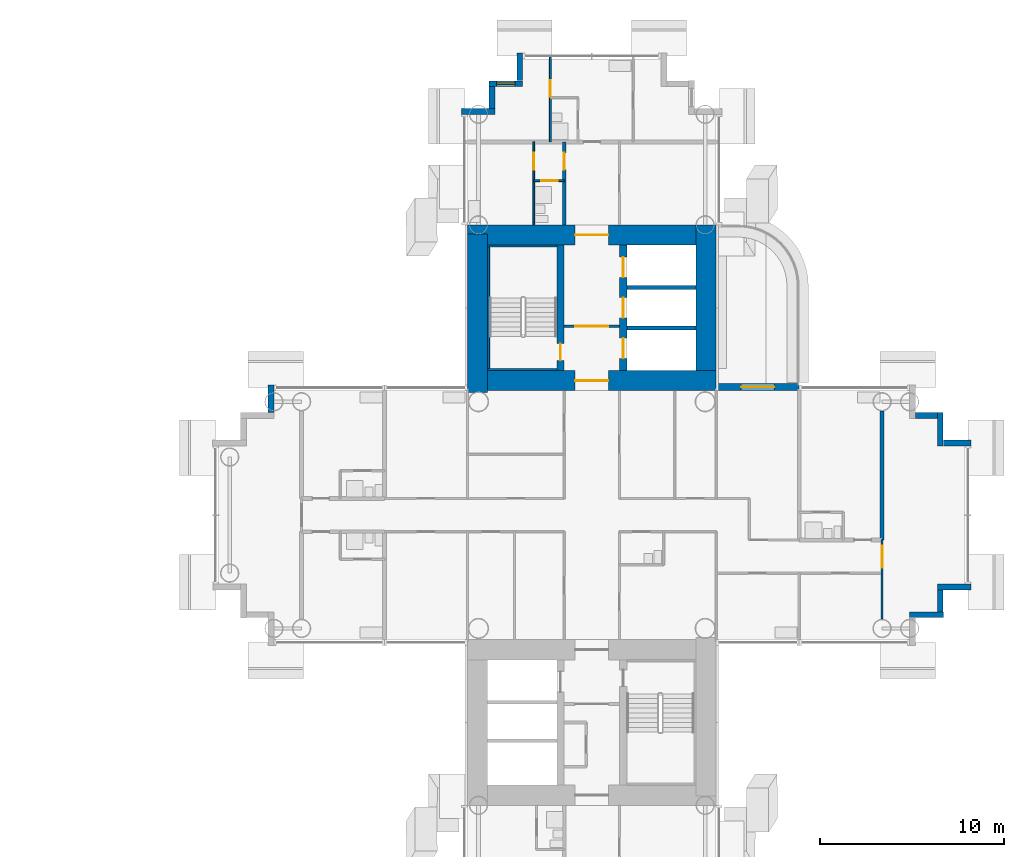
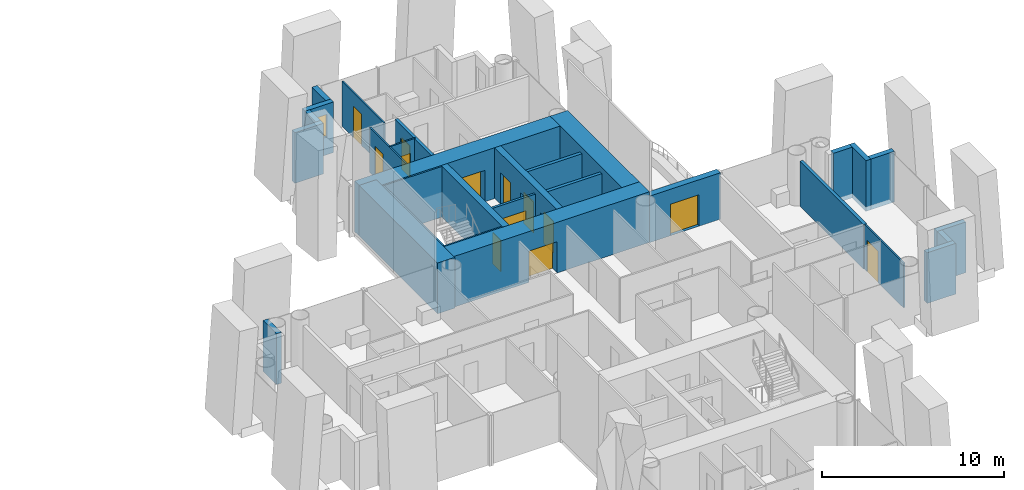
# One storey, part 16 of 24: 30 walls, 13 doors, 1 window, 14 openings.
"""IFC4 building model written with IfcOpenShell, lengths in metres."""

import ifcopenshell
import ifcopenshell.guid

model = None  # the IFC model being written
_history = None  # IfcOwnerHistory: only IFC2X3 demands one
_inside = {}  # id of a spatial element -> (the spatial element, [elements in it])
_under = {}  # id of a project, library or spatial element -> (it, [spatial elements below it])
_declared = {}  # id of a project -> (the project, [libraries it declares])
_typed = {}  # id of a type object -> (the type object, [elements of that type])
_made_of = {}  # id of a material, layer set ... -> (it, [elements and type objects made of it])


def new_model(schema):
    """Start an empty IFC model of exactly this schema.

    Asked for "IFC4X3", IfcOpenShell would pick the latest addendum, in which some entities
    have other attributes; the version numbers below select the first issue.
    IFC2X3 requires an IfcOwnerHistory on every rooted entity: one is made here for all.
    """
    global model, _history
    if schema == "IFC4X3":
        model = ifcopenshell.file(schema_version=(4, 3, 0, 0))
    else:
        model = ifcopenshell.file(schema=schema)
    _inside.clear()
    _under.clear()
    _declared.clear()
    _typed.clear()
    _made_of.clear()
    _history = None
    if model.schema == "IFC2X3":
        org = make("IfcOrganization", Name="unknown")
        user = make(
            "IfcPersonAndOrganization",
            ThePerson=make("IfcPerson", FamilyName="unknown"),
            TheOrganization=org,
        )
        app = make(
            "IfcApplication",
            ApplicationDeveloper=org,
            Version="unknown",
            ApplicationFullName="unknown",
            ApplicationIdentifier="unknown",
        )
        _history = make(
            "IfcOwnerHistory",
            OwningUser=user,
            OwningApplication=app,
            ChangeAction="ADDED",
            CreationDate=0,
        )
    return model


def make(cls, **values):
    """One entity of the class cls with the attributes given. An attribute that is None is left unset."""
    return model.create_entity(
        cls, **{name: value for name, value in values.items() if value is not None}
    )


def rooted(cls, **values):
    """An entity with a GlobalId (a new one), such as an element, a storey or a relation."""
    return make(cls, GlobalId=ifcopenshell.guid.new(), OwnerHistory=_history, **values)


def si_unit(unit_type, name, prefix=None):
    """IfcSIUnit, for example si_unit("LENGTHUNIT", "METRE", prefix="MILLI")."""
    return make("IfcSIUnit", UnitType=unit_type, Prefix=prefix, Name=name)


def assignment(units):
    """IfcUnitAssignment: the units of a project."""
    return None if units is None else make("IfcUnitAssignment", Units=units)


def point(xyz):
    """IfcCartesianPoint."""
    return None if xyz is None else make("IfcCartesianPoint", Coordinates=xyz)


def direction(xyz):
    """IfcDirection."""
    return None if xyz is None else make("IfcDirection", DirectionRatios=xyz)


def frame(location, z_axis=None, x_axis=None):
    """IfcAxis2Placement3D, a coordinate frame: its origin and axes. An axis left out is left unset."""
    return make(
        "IfcAxis2Placement3D",
        Location=point(location),
        Axis=direction(z_axis),
        RefDirection=direction(x_axis),
    )


def frame_2d(location, x_axis=None):
    """IfcAxis2Placement2D, a coordinate frame in the plane: its origin and x axis."""
    return make(
        "IfcAxis2Placement2D", Location=point(location), RefDirection=direction(x_axis)
    )


def origin():
    """The frame at (0, 0, 0) with its axes left unset."""
    return frame((0.0, 0.0, 0.0))


def place(relative_to, where):
    """IfcLocalPlacement: puts the frame where relative to a parent placement (None: the world)."""
    return make(
        "IfcLocalPlacement", PlacementRelTo=relative_to, RelativePlacement=where
    )


def context(
    kind, dimensions, precision=None, world=None, true_north=None, identifier=None
):
    """IfcGeometricRepresentationContext, for example the 3D "Model" context."""
    return make(
        "IfcGeometricRepresentationContext",
        ContextIdentifier=identifier,
        ContextType=kind,
        CoordinateSpaceDimension=dimensions,
        Precision=precision,
        WorldCoordinateSystem=world,
        TrueNorth=true_north,
    )


def subcontext(parent, identifier, kind, view, scale=None):
    """IfcGeometricRepresentationSubContext, for example "Body" below "Model"."""
    return make(
        "IfcGeometricRepresentationSubContext",
        ContextIdentifier=identifier,
        ContextType=kind,
        ParentContext=parent,
        TargetScale=scale,
        TargetView=view,
    )


def project(units=None, contexts=None):
    """IfcProject with its units and contexts."""
    return rooted(
        "IfcProject",
        Name="project",
        RepresentationContexts=contexts,
        UnitsInContext=assignment(units),
    )


def spatial(cls, under=None, at=None, **own):
    """A site, building, storey or space (cls), placed at a placement, below another one or the project."""
    s = rooted(cls, ObjectPlacement=at, **own)
    if under is not None:
        _under.setdefault(under.id(), (under, []))[1].append(s)
    return s


def profile(cls, at=None, kind="AREA", **sizes):
    """A parametric profile (cls). Its sizes go by their IFC names, for example OverallWidth=200.0."""
    return make(cls, ProfileType=kind, Position=at, **sizes)


def rectangle(**sizes):
    """IfcRectangleProfileDef."""
    return profile("IfcRectangleProfileDef", **sizes)


def extrude(swept, where, along, depth):
    """IfcExtrudedAreaSolid: the profile swept, set in the frame where, extruded along a direction by depth."""
    return make(
        "IfcExtrudedAreaSolid",
        SweptArea=swept,
        Position=where,
        ExtrudedDirection=direction(along),
        Depth=depth,
    )


def shape(context_of_items, identifier, shape_type, items):
    """IfcShapeRepresentation: the items that make up one representation, for example the "Body"."""
    return make(
        "IfcShapeRepresentation",
        ContextOfItems=context_of_items,
        RepresentationIdentifier=identifier,
        RepresentationType=shape_type,
        Items=items,
    )


def material(Name=None, Category=None):
    """IfcMaterial."""
    return make("IfcMaterial", Name=Name, Category=Category)


def layer(
    of_material, thickness, ventilated=None, Name=None, Category=None, Priority=None
):
    """IfcMaterialLayer: one layer of a wall or slab, of a material (None: an air gap)."""
    return make(
        "IfcMaterialLayer",
        Material=of_material,
        LayerThickness=thickness,
        IsVentilated=ventilated,
        Name=Name,
        Category=Category,
        Priority=Priority,
    )


def layer_set(layers, Name=None):
    """IfcMaterialLayerSet."""
    return make("IfcMaterialLayerSet", MaterialLayers=layers, LayerSetName=Name)


def made_of(thing, what):
    """Note that an element or type object is made of a material, layer set ...; save() writes the relation."""
    if what is not None:
        _made_of.setdefault(what.id(), (what, []))[1].append(thing)
    return thing


def type_object(cls, material=None, **own):
    """A type object (cls), such as IfcWallType, which elements share."""
    return made_of(rooted(cls, **own), material)


def element(
    cls,
    number,
    at=None,
    inside=None,
    cuts=None,
    type_object=None,
    material=None,
    context=None,
    identifier="Body",
    shape_type=None,
    held_by="IfcProductDefinitionShape",
    body=None,
    shapes=None,
    **own,
):
    """One element of the class cls, such as IfcWall. Its Tag is "e" and its number.

    at: its placement. inside: the storey or other place that contains it. cuts: it is an
    opening in that element (IfcRelVoidsElement). A single representation is given by context,
    identifier, shape_type and body (its items); several are given by shapes. held_by: the class
    of the entity that holds the representations. save() writes the other relations.
    """
    e = rooted(cls, Tag="e%d" % number, ObjectPlacement=at, **own)
    if body is not None:
        shapes = [shape(context, identifier, shape_type, body)]
    if shapes is not None:
        e.Representation = make(held_by, Representations=shapes)
    if inside is not None:
        _inside.setdefault(inside.id(), (inside, []))[1].append(e)
    if cuts is not None:
        rooted(
            "IfcRelVoidsElement", RelatingBuildingElement=cuts, RelatedOpeningElement=e
        )
    if type_object is not None:
        _typed.setdefault(type_object.id(), (type_object, []))[1].append(e)
    return made_of(e, material)


def fill(opening, filler):
    """IfcRelFillsElement: the door or window that sits in an opening."""
    return rooted(
        "IfcRelFillsElement",
        RelatingOpeningElement=opening,
        RelatedBuildingElement=filler,
    )


def aggregate(whole, parts):
    """IfcRelAggregates: a whole, such as a stair, and the parts it consists of."""
    return rooted("IfcRelAggregates", RelatingObject=whole, RelatedObjects=parts)


def save(model, path):
    """Write the relations noted so far, then the file.

    IfcRelAggregates (storeys below a building ...), IfcRelContainedInSpatialStructure (elements
    in a storey), IfcRelDefinesByType, IfcRelAssociatesMaterial and IfcRelDeclares: one each for
    every whole, place, type object, material and project.
    """
    for whole, parts in _under.values():
        aggregate(whole, parts)
    for where, things in _inside.values():
        rooted(
            "IfcRelContainedInSpatialStructure",
            RelatedElements=things,
            RelatingStructure=where,
        )
    for kind, things in _typed.values():
        rooted("IfcRelDefinesByType", RelatedObjects=things, RelatingType=kind)
    for what, things in _made_of.values():
        rooted("IfcRelAssociatesMaterial", RelatedObjects=things, RelatingMaterial=what)
    for by, libraries in _declared.values():
        rooted("IfcRelDeclares", RelatingContext=by, RelatedDefinitions=libraries)
    model.write(path)


model = new_model("IFC4")

# Units and contexts
model_context = context("Model", 3, precision=1e-05, world=origin(), true_north=direction((0.0, 1.0)))
body_context = subcontext(model_context, "Body", "Model", "MODEL_VIEW")
ifc_project = project(units=[si_unit("LENGTHUNIT", "METRE"), si_unit("AREAUNIT", "SQUARE_METRE"), si_unit("VOLUMEUNIT", "CUBIC_METRE"), si_unit("PLANEANGLEUNIT", "RADIAN"), si_unit("MASSUNIT", "GRAM", prefix="KILO")], contexts=[model_context])

# Site, building, storey
site_placement = place(None, origin())
site = spatial("IfcSite", under=ifc_project, at=site_placement, CompositionType="ELEMENT")
building_placement = place(site_placement, origin())
building = spatial("IfcBuilding", under=site, at=building_placement, Name="Ipe Terrace Towers", CompositionType="ELEMENT")
storey_placement = place(building_placement, frame((0.0, 0.0, 38.10009765625)))
storey = spatial("IfcBuildingStorey", under=building, at=storey_placement, Name="L09", CompositionType="ELEMENT", Elevation=38.10009765625)

# Wall, opening, door
ifc_material_1 = material(Name="Concrete C40/50 with buff precast cladding", Category="concrete")
ifc_layer_1 = layer(ifc_material_1, 0.39990234375)
ifc_layer_set_1 = layer_set([ifc_layer_1], Name="BALCONY BAY WALL 400")
wall_type_1 = type_object("IfcWallType", Name="BALCONY BAY WALL 400", PredefinedType="STANDARD", material=ifc_layer_set_1)
wall_1_placement = place(storey_placement, frame((47.25, 6.949951171875, -0.02001953125), z_axis=(0.0, 0.0, 1.0), x_axis=(-1.0, 0.0, 0.0)))
wall_1 = element("IfcWall", 1, at=wall_1_placement, inside=storey, type_object=wall_type_1, Name="T2-W-L09-18a wall", PredefinedType="STANDARD", context=body_context, shape_type="SweptSolid", body=[
    extrude(rectangle(XDim=4.5, YDim=0.39990234375, at=frame_2d((2.25, 0.0))), origin(), (0.0, 0.0, 1.0), 3.119873046875),
])
opening_1_placement = place(wall_1_placement, frame((1.35009765625, 0.0, 0.02001953125)))
opening_1 = element("IfcOpeningElement", 2, at=opening_1_placement, cuts=wall_1, Name="Opening T2-D-L09-18", PredefinedType="OPENING", context=body_context, shape_type="SweptSolid", body=[
    extrude(rectangle(XDim=1.800048828125, YDim=2.10009765625, at=frame_2d((0.89990234375, 1.050048828125))), frame((0.0, 0.2099609375, 0.0), z_axis=(0.0, -1.0, 0.0), x_axis=(1.0, 0.0, 0.0)), (0.0, 0.0, 1.0), 0.419921875),
])
ifc_material_2 = material(Name="Aluminium alloy 6063-T6 framed glazed door", Category="aluminium")
door_type_1 = type_object("IfcDoorType", Name="BALCONY DOOR 1800 x 2100 RIGHT", OperationType="SINGLE_SWING_RIGHT", PredefinedType="DOOR", material=ifc_material_2)
door_1_placement = place(opening_1_placement, origin())
door_1 = element("IfcDoor", 3, at=door_1_placement, inside=storey, type_object=door_type_1, Name="DB2 door", OperationType="SINGLE_SWING_RIGHT", OverallHeight=2.10009765625, OverallWidth=1.800048828125, PredefinedType="DOOR", context=body_context, shape_type="SweptSolid", body=[
    extrude(rectangle(XDim=1.800048828125, YDim=2.10009765625, at=frame_2d((0.89990234375, 1.050048828125))), frame((0.0, 0.02490234375, 0.0), z_axis=(0.0, -1.0, 0.0), x_axis=(1.0, 0.0, 0.0)), (0.0, 0.0, 1.0), 0.050048828125),
])
fill(opening_1, door_1)

# Walls
ifc_material_3 = material(Name="Concrete C40/50 with buff precast cladding", Category="concrete")
ifc_layer_2 = layer(ifc_material_3, 0.320068359375)
ifc_layer_set_2 = layer_set([ifc_layer_2], Name="BUFF CLADDING WALL 320")
wall_type_2 = type_object("IfcWallType", Name="BUFF CLADDING WALL 320", PredefinedType="STANDARD", material=ifc_layer_set_2)
wall_2_placement = place(storey_placement, frame((53.25, -5.409912109375, -0.300048828125), z_axis=(0.0, 0.0, 1.0), x_axis=(1.0, 0.0, 0.0)))
element("IfcWall", 4, at=wall_2_placement, inside=storey, type_object=wall_type_2, Name="T2-W-L09-09a wall", PredefinedType="STANDARD", context=body_context, shape_type="SweptSolid", body=[
    extrude(rectangle(XDim=1.820068359375, YDim=0.320068359375, at=frame_2d((0.91015625, 0.0))), origin(), (0.0, 0.0, 1.0), 3.39990234375),
])
wall_3_placement = place(storey_placement, frame((54.909912109375, -5.25, -0.300048828125), z_axis=(0.0, 0.0, 1.0), x_axis=(0.0, 1.0, 0.0)))
element("IfcWall", 5, at=wall_3_placement, inside=storey, type_object=wall_type_2, Name="T2-W-L09-10a wall", PredefinedType="STANDARD", context=body_context, shape_type="SweptSolid", body=[
    extrude(rectangle(XDim=1.179931640625, YDim=0.320068359375, at=frame_2d((0.58984375, 0.0))), origin(), (0.0, 0.0, 1.0), 3.39990234375),
])
wall_4_placement = place(storey_placement, frame((54.75, -3.909912109375, -0.300048828125), z_axis=(0.0, 0.0, 1.0), x_axis=(1.0, 0.0, 0.0)))
element("IfcWall", 6, at=wall_4_placement, inside=storey, type_object=wall_type_2, Name="T2-W-L09-11a wall", PredefinedType="STANDARD", context=body_context, shape_type="SweptSolid", body=[
    extrude(rectangle(XDim=1.820068359375, YDim=0.320068359375, at=frame_2d((0.91015625, 0.0))), origin(), (0.0, 0.0, 1.0), 3.39990234375),
])
wall_5_placement = place(storey_placement, frame((56.570068359375, 3.909912109375, -0.300048828125), z_axis=(0.0, 0.0, 1.0), x_axis=(-1.0, 0.0, 0.0)))
element("IfcWall", 7, at=wall_5_placement, inside=storey, type_object=wall_type_2, Name="T2-W-L09-13a wall", PredefinedType="STANDARD", context=body_context, shape_type="SweptSolid", body=[
    extrude(rectangle(XDim=1.5, YDim=0.320068359375, at=frame_2d((0.75, 0.0))), origin(), (0.0, 0.0, 1.0), 3.39990234375),
])
wall_6_placement = place(storey_placement, frame((54.909912109375, 3.75, -0.300048828125), z_axis=(0.0, 0.0, 1.0), x_axis=(0.0, 1.0, 0.0)))
element("IfcWall", 8, at=wall_6_placement, inside=storey, type_object=wall_type_2, Name="T2-W-L09-14a wall", PredefinedType="STANDARD", context=body_context, shape_type="SweptSolid", body=[
    extrude(rectangle(XDim=1.820068359375, YDim=0.320068359375, at=frame_2d((0.91015625, 0.0))), origin(), (0.0, 0.0, 1.0), 3.39990234375),
])
wall_7_placement = place(storey_placement, frame((54.75, 5.409912109375, -0.300048828125), z_axis=(0.0, 0.0, 1.0), x_axis=(-1.0, 0.0, 0.0)))
element("IfcWall", 9, at=wall_7_placement, inside=storey, type_object=wall_type_2, Name="T2-W-L09-15a wall", PredefinedType="STANDARD", context=body_context, shape_type="SweptSolid", body=[
    extrude(rectangle(XDim=1.179931640625, YDim=0.320068359375, at=frame_2d((0.58984375, 0.0))), origin(), (0.0, 0.0, 1.0), 3.39990234375),
])
wall_8_placement = place(storey_placement, frame((32.090087890625, 25.070068359375, -0.300048828125), z_axis=(0.0, 0.0, 1.0), x_axis=(0.0, -1.0, 0.0)))
element("IfcWall", 10, at=wall_8_placement, inside=storey, type_object=wall_type_2, Name="T2-W-L09-26a wall", PredefinedType="STANDARD", context=body_context, shape_type="SweptSolid", body=[
    extrude(rectangle(XDim=1.5, YDim=0.320068359375, at=frame_2d((0.75, 0.0))), origin(), (0.0, 0.0, 1.0), 3.39990234375),
])

# Wall, opening, window
wall_9_placement = place(storey_placement, frame((32.25, 23.409912109375, -0.300048828125), z_axis=(0.0, 0.0, 1.0), x_axis=(-1.0, 0.0, 0.0)))
wall_9 = element("IfcWall", 11, at=wall_9_placement, inside=storey, type_object=wall_type_2, Name="T2-W-L09-27a wall", PredefinedType="STANDARD", context=body_context, shape_type="SweptSolid", body=[
    extrude(rectangle(XDim=1.820068359375, YDim=0.320068359375, at=frame_2d((0.91015625, 0.0))), origin(), (0.0, 0.0, 1.0), 3.39990234375),
])
opening_2_placement = place(wall_9_placement, frame((0.409912109375, 0.0, 1.199951171875)))
opening_2 = element("IfcOpeningElement", 12, at=opening_2_placement, cuts=wall_9, Name="Opening T2-W-05-L09-01", PredefinedType="OPENING", context=body_context, shape_type="SweptSolid", body=[
    extrude(rectangle(XDim=1.0, YDim=1.5, at=frame_2d((0.5, 0.75))), frame((0.0, 0.169921875, 0.0), z_axis=(0.0, -1.0, 0.0), x_axis=(1.0, 0.0, 0.0)), (0.0, 0.0, 1.0), 0.340087890625),
])
ifc_material_4 = material(Name="Glass, clear laminated", Category="glass")
window_type = type_object("IfcWindowType", Name="DWELLING WINDOW 1000 x 1500", PartitioningType="SINGLE_PANEL", PredefinedType="WINDOW", material=ifc_material_4)
window_placement = place(opening_2_placement, origin())
window = element("IfcWindow", 13, at=window_placement, inside=storey, type_object=window_type, Name="W-05 window", OverallHeight=1.5, OverallWidth=1.0, PartitioningType="SINGLE_PANEL", PredefinedType="WINDOW", context=body_context, shape_type="SweptSolid", body=[
    extrude(rectangle(XDim=1.0, YDim=1.5, at=frame_2d((0.5, 0.75))), frame((0.0, 0.030029296875, 0.0), z_axis=(0.0, -1.0, 0.0), x_axis=(1.0, 0.0, 0.0)), (0.0, 0.0, 1.0), 0.06005859375),
])
fill(opening_2, window)

# Walls
wall_10_placement = place(storey_placement, frame((30.590087890625, 23.25, -0.300048828125), z_axis=(0.0, 0.0, 1.0), x_axis=(0.0, -1.0, 0.0)))
element("IfcWall", 14, at=wall_10_placement, inside=storey, type_object=wall_type_2, Name="T2-W-L09-28a wall", PredefinedType="STANDARD", context=body_context, shape_type="SweptSolid", body=[
    extrude(rectangle(XDim=1.179931640625, YDim=0.320068359375, at=frame_2d((0.58984375, 0.0))), origin(), (0.0, 0.0, 1.0), 3.39990234375),
])
wall_11_placement = place(storey_placement, frame((30.75, 21.909912109375, -0.300048828125), z_axis=(0.0, 0.0, 1.0), x_axis=(-1.0, 0.0, 0.0)))
element("IfcWall", 15, at=wall_11_placement, inside=storey, type_object=wall_type_2, Name="T2-W-L09-29a wall", PredefinedType="STANDARD", context=body_context, shape_type="SweptSolid", body=[
    extrude(rectangle(XDim=1.820068359375, YDim=0.320068359375, at=frame_2d((0.91015625, 0.0))), origin(), (0.0, 0.0, 1.0), 3.39990234375),
])
wall_12_placement = place(storey_placement, frame((18.590087890625, 7.070068359375, -0.300048828125), z_axis=(0.0, 0.0, 1.0), x_axis=(0.0, -1.0, 0.0)))
element("IfcWall", 16, at=wall_12_placement, inside=storey, type_object=wall_type_2, Name="T2-W-L09-34a wall", PredefinedType="STANDARD", context=body_context, shape_type="SweptSolid", body=[
    extrude(rectangle(XDim=1.5, YDim=0.320068359375, at=frame_2d((0.75, 0.0))), origin(), (0.0, 0.0, 1.0), 3.39990234375),
])

# Wall, opening, door
ifc_material_5 = material(Name="Gypsum board partition", Category="plasterboard")
ifc_layer_3 = layer(ifc_material_5, 0.10009765625)
ifc_layer_set_3 = layer_set([ifc_layer_3], Name="Gypsum board partition 100 mm")
wall_type_3 = type_object("IfcWallType", Name="Gypsum board partition 100 mm", PredefinedType="PARTITIONING", material=ifc_layer_set_3)
wall_13_placement = place(storey_placement, frame((34.5, 18.14990234375, 0.0), z_axis=(0.0, 0.0, 1.0), x_axis=(-1.0, 0.0, 0.0)))
wall_13 = element("IfcWall", 17, at=wall_13_placement, inside=storey, type_object=wall_type_3, Name="Gypsum board partition T2 L09 W18", PredefinedType="PARTITIONING", context=body_context, shape_type="SweptSolid", body=[
    extrude(rectangle(XDim=1.64990234375, YDim=0.10009765625, at=frame_2d((0.824951171875, 0.0))), origin(), (0.0, 0.0, 1.0), 3.0),
])
opening_3_placement = place(wall_13_placement, frame((0.35009765625, 0.0, 0.0)))
opening_3 = element("IfcOpeningElement", 18, at=opening_3_placement, cuts=wall_13, Name="Opening T2-Z1B-24", PredefinedType="OPENING", context=body_context, shape_type="SweptSolid", body=[
    extrude(rectangle(XDim=0.89990234375, YDim=2.10009765625, at=frame_2d((0.449951171875, 1.050048828125))), frame((0.0, 0.06005859375, 0.0), z_axis=(0.0, -1.0, 0.0), x_axis=(1.0, 0.0, 0.0)), (0.0, 0.0, 1.0), 0.1201171875),
])
ifc_material_6 = material(Name="Timber door leaf", Category="wood")
door_type_2 = type_object("IfcDoorType", Name="Bathroom door 900 x 2100", OperationType="NOTDEFINED", PredefinedType="DOOR", material=ifc_material_6)
door_2_placement = place(opening_3_placement, origin())
door_2 = element("IfcDoor", 19, at=door_2_placement, inside=storey, type_object=door_type_2, Name="Bathroom door T2-Z1B-24", OperationType="SINGLE_SWING_RIGHT", OverallHeight=2.10009765625, OverallWidth=0.89990234375, PredefinedType="DOOR", context=body_context, shape_type="SweptSolid", body=[
    extrude(rectangle(XDim=0.89990234375, YDim=2.10009765625, at=frame_2d((0.449951171875, 1.050048828125))), frame((0.0, 0.02490234375, 0.0), z_axis=(0.0, -1.0, 0.0), x_axis=(1.0, 0.0, 0.0)), (0.0, 0.0, 1.0), 0.050048828125),
])
fill(opening_3, door_2)

wall_14_placement = place(storey_placement, frame((51.75, -5.64990234375, 0.0), z_axis=(0.0, 0.0, 1.0), x_axis=(0.0, 1.0, 0.0)))
wall_14 = element("IfcWall", 20, at=wall_14_placement, inside=storey, type_object=wall_type_3, Name="Gypsum board partition T2 L09 W21", PredefinedType="PARTITIONING", context=body_context, shape_type="SweptSolid", body=[
    extrude(rectangle(XDim=4.2998046875, YDim=0.10009765625, at=frame_2d((2.14990234375, 0.0))), origin(), (0.0, 0.0, 1.0), 3.0),
])
opening_4_placement = place(wall_14_placement, frame((2.800048828125, 0.0, 0.0)))
opening_4 = element("IfcOpeningElement", 21, at=opening_4_placement, cuts=wall_14, Name="Opening T2-Z1B-21", PredefinedType="OPENING", context=body_context, shape_type="SweptSolid", body=[
    extrude(rectangle(XDim=1.199951171875, YDim=2.10009765625, at=frame_2d((0.60009765625, 1.050048828125))), frame((0.0, 0.06005859375, 0.0), z_axis=(0.0, -1.0, 0.0), x_axis=(1.0, 0.0, 0.0)), (0.0, 0.0, 1.0), 0.1201171875),
])
ifc_material_7 = material(Name="Timber door leaf", Category="wood")
door_type_3 = type_object("IfcDoorType", Name="Lounge door 1200 x 2100", OperationType="NOTDEFINED", PredefinedType="DOOR", material=ifc_material_7)
door_3_placement = place(opening_4_placement, origin())
door_3 = element("IfcDoor", 22, at=door_3_placement, inside=storey, type_object=door_type_3, Name="Lounge door T2-Z1B-21", OperationType="SINGLE_SWING_RIGHT", OverallHeight=2.10009765625, OverallWidth=1.199951171875, PredefinedType="DOOR", context=body_context, shape_type="SweptSolid", body=[
    extrude(rectangle(XDim=1.199951171875, YDim=2.10009765625, at=frame_2d((0.60009765625, 1.050048828125))), frame((0.0, 0.02490234375, 0.0), z_axis=(0.0, -1.0, 0.0), x_axis=(1.0, 0.0, 0.0)), (0.0, 0.0, 1.0), 0.050048828125),
])
fill(opening_4, door_3)

wall_15_placement = place(storey_placement, frame((33.75, 20.25, 0.0), z_axis=(0.0, 0.0, 1.0), x_axis=(0.0, 1.0, 0.0)))
wall_15 = element("IfcWall", 23, at=wall_15_placement, inside=storey, type_object=wall_type_3, Name="Gypsum board partition T2 L09 W41", PredefinedType="PARTITIONING", context=body_context, shape_type="SweptSolid", body=[
    extrude(rectangle(XDim=4.60009765625, YDim=0.10009765625, at=frame_2d((2.300048828125, 0.0))), origin(), (0.0, 0.0, 1.0), 3.0),
])
opening_5_placement = place(wall_15_placement, frame((2.449951171875, 0.0, 0.0)))
opening_5 = element("IfcOpeningElement", 24, at=opening_5_placement, cuts=wall_15, Name="Opening T2-Z1B-28", PredefinedType="OPENING", context=body_context, shape_type="SweptSolid", body=[
    extrude(rectangle(XDim=0.89990234375, YDim=2.10009765625, at=frame_2d((0.449951171875, 1.050048828125))), frame((0.0, 0.06005859375, 0.0), z_axis=(0.0, -1.0, 0.0), x_axis=(1.0, 0.0, 0.0)), (0.0, 0.0, 1.0), 0.1201171875),
])
ifc_material_8 = material(Name="Timber door leaf", Category="wood")
door_type_4 = type_object("IfcDoorType", Name="Bedroom door 900 x 2100", OperationType="NOTDEFINED", PredefinedType="DOOR", material=ifc_material_8)
door_4_placement = place(opening_5_placement, origin())
door_4 = element("IfcDoor", 25, at=door_4_placement, inside=storey, type_object=door_type_4, Name="Bedroom door T2-Z1B-28", OperationType="SINGLE_SWING_LEFT", OverallHeight=2.10009765625, OverallWidth=0.89990234375, PredefinedType="DOOR", context=body_context, shape_type="SweptSolid", body=[
    extrude(rectangle(XDim=0.89990234375, YDim=2.10009765625, at=frame_2d((0.449951171875, 1.050048828125))), frame((0.0, 0.02490234375, 0.0), z_axis=(0.0, -1.0, 0.0), x_axis=(1.0, 0.0, 0.0)), (0.0, 0.0, 1.0), 0.050048828125),
])
fill(opening_5, door_4)

wall_16_placement = place(storey_placement, frame((32.85009765625, 15.75, 0.0), z_axis=(0.0, 0.0, 1.0), x_axis=(0.0, 1.0, 0.0)))
wall_16 = element("IfcWall", 26, at=wall_16_placement, inside=storey, type_object=wall_type_3, Name="Gypsum board partition T2 L09 W43", PredefinedType="PARTITIONING", context=body_context, shape_type="SweptSolid", body=[
    extrude(rectangle(XDim=4.5, YDim=0.10009765625, at=frame_2d((2.25, 0.0))), origin(), (0.0, 0.0, 1.0), 3.0),
])
opening_6_placement = place(wall_16_placement, frame((3.0, 0.0, 0.0)))
opening_6 = element("IfcOpeningElement", 27, at=opening_6_placement, cuts=wall_16, Name="Opening T2-Z1B-23", PredefinedType="OPENING", context=body_context, shape_type="SweptSolid", body=[
    extrude(rectangle(XDim=0.89990234375, YDim=2.10009765625, at=frame_2d((0.449951171875, 1.050048828125))), frame((0.0, 0.06005859375, 0.0), z_axis=(0.0, -1.0, 0.0), x_axis=(1.0, 0.0, 0.0)), (0.0, 0.0, 1.0), 0.1201171875),
])
door_5_placement = place(opening_6_placement, origin())
door_5 = element("IfcDoor", 28, at=door_5_placement, inside=storey, type_object=door_type_4, Name="Bedroom door T2-Z1B-23", OperationType="SINGLE_SWING_LEFT", OverallHeight=2.10009765625, OverallWidth=0.89990234375, PredefinedType="DOOR", context=body_context, shape_type="SweptSolid", body=[
    extrude(rectangle(XDim=0.89990234375, YDim=2.10009765625, at=frame_2d((0.449951171875, 1.050048828125))), frame((0.0, 0.02490234375, 0.0), z_axis=(0.0, -1.0, 0.0), x_axis=(1.0, 0.0, 0.0)), (0.0, 0.0, 1.0), 0.050048828125),
])
fill(opening_6, door_5)

ifc_material_9 = material(Name="Gypsum board partition", Category="plasterboard")
ifc_layer_4 = layer(ifc_material_9, 0.14990234375)
ifc_layer_set_4 = layer_set([ifc_layer_4], Name="Gypsum board partition 150 mm")
wall_type_4 = type_object("IfcWallType", Name="Gypsum board partition 150 mm", PredefinedType="PARTITIONING", material=ifc_layer_set_4)
wall_17_placement = place(storey_placement, frame((37.5, 10.25, 0.0), z_axis=(0.0, 0.0, 1.0), x_axis=(-1.0, 0.0, 0.0)))
wall_17 = element("IfcWall", 29, at=wall_17_placement, inside=storey, type_object=wall_type_4, Name="Gypsum board partition T2 L09 t2c1-lobby-wall", PredefinedType="PARTITIONING", context=body_context, shape_type="SweptSolid", body=[
    extrude(rectangle(XDim=3.0, YDim=0.14990234375, at=frame_2d((1.5, 0.0))), origin(), (0.0, 0.0, 1.0), 3.0),
])
opening_7_placement = place(wall_17_placement, frame((0.60009765625, 0.0, 0.0)))
opening_7 = element("IfcOpeningElement", 30, at=opening_7_placement, cuts=wall_17, Name="Opening T2C1-VD", PredefinedType="OPENING", context=body_context, shape_type="SweptSolid", body=[
    extrude(rectangle(XDim=1.800048828125, YDim=2.10009765625, at=frame_2d((0.89990234375, 1.050048828125))), frame((0.0, 0.0849609375, 0.0), z_axis=(0.0, -1.0, 0.0), x_axis=(1.0, 0.0, 0.0)), (0.0, 0.0, 1.0), 0.169921875),
])
ifc_material_10 = material(Name="Fire-rated timber door leaf", Category="wood")
door_type_5 = type_object("IfcDoorType", Name="Lobby door 1800 x 2100 FD60", OperationType="NOTDEFINED", PredefinedType="DOOR", material=ifc_material_10)
door_6_placement = place(opening_7_placement, origin())
door_6 = element("IfcDoor", 31, at=door_6_placement, inside=storey, type_object=door_type_5, Name="Lobby door T2C1-VD", OperationType="SINGLE_SWING_LEFT", OverallHeight=2.10009765625, OverallWidth=1.800048828125, PredefinedType="DOOR", context=body_context, shape_type="SweptSolid", body=[
    extrude(rectangle(XDim=1.800048828125, YDim=2.10009765625, at=frame_2d((0.89990234375, 1.050048828125))), frame((0.0, 0.02490234375, 0.0), z_axis=(0.0, -1.0, 0.0), x_axis=(1.0, 0.0, 0.0)), (0.0, 0.0, 1.0), 0.050048828125),
])
fill(opening_7, door_6)

# Walls
ifc_material_11 = material(Name="Gypsum board party wall", Category="plasterboard")
ifc_layer_5 = layer(ifc_material_11, 0.199951171875)
ifc_layer_set_5 = layer_set([ifc_layer_5], Name="Gypsum board party wall 200 mm")
wall_type_5 = type_object("IfcWallType", Name="Gypsum board party wall 200 mm", PredefinedType="SOLIDWALL", material=ifc_layer_set_5)
for number, where, z_axis, x_axis, name in (
    (32, (41.64990234375, 10.14990234375, 0.0), (0.0, 0.0, 1.0), (-1.0, 0.0, 0.0), "Gypsum board party wall T2 L09 t2c1-shaft-div1"),
    (33, (41.64990234375, 12.35009765625, 0.0), (0.0, 0.0, 1.0), (-1.0, 0.0, 0.0), "Gypsum board party wall T2 L09 t2c1-shaft-div2"),
):
    element("IfcWall", number, at=place(storey_placement, frame(where, z_axis=z_axis, x_axis=x_axis)), inside=storey, type_object=wall_type_5, Name=name, PredefinedType="SOLIDWALL", context=body_context, shape_type="SweptSolid", body=[
        extrude(rectangle(XDim=3.75, YDim=0.199951171875, at=frame_2d((1.875, 0.0))), origin(), (0.0, 0.0, 1.0), 3.0),
    ])
wall_18_placement = place(storey_placement, frame((51.75, -1.35009765625, 0.0), z_axis=(0.0, 0.0, 1.0), x_axis=(0.0, 1.0, 0.0)))
element("IfcWall", 34, at=wall_18_placement, inside=storey, type_object=wall_type_5, Name="Gypsum board party wall T2 L09 W22", PredefinedType="SOLIDWALL", context=body_context, shape_type="SweptSolid", body=[
    extrude(rectangle(XDim=7.0, YDim=0.199951171875, at=frame_2d((3.5, 0.0))), origin(), (0.0, 0.0, 1.0), 3.0),
])

# Wall, opening, door
wall_19_placement = place(storey_placement, frame((34.5, 15.75, 0.0), z_axis=(0.0, 0.0, 1.0), x_axis=(0.0, 1.0, 0.0)))
wall_19 = element("IfcWall", 35, at=wall_19_placement, inside=storey, type_object=wall_type_5, Name="Gypsum board party wall T2 L09 W40", PredefinedType="SOLIDWALL", context=body_context, shape_type="SweptSolid", body=[
    extrude(rectangle(XDim=4.5, YDim=0.199951171875, at=frame_2d((2.25, 0.0))), origin(), (0.0, 0.0, 1.0), 3.0),
])
opening_8_placement = place(wall_19_placement, frame((3.0, 0.0, 0.0)))
opening_8 = element("IfcOpeningElement", 36, at=opening_8_placement, cuts=wall_19, Name="Opening T2-Z1B-22", PredefinedType="OPENING", context=body_context, shape_type="SweptSolid", body=[
    extrude(rectangle(XDim=0.89990234375, YDim=2.10009765625, at=frame_2d((0.449951171875, 1.050048828125))), frame((0.0, 0.10986328125, 0.0), z_axis=(0.0, -1.0, 0.0), x_axis=(1.0, 0.0, 0.0)), (0.0, 0.0, 1.0), 0.219970703125),
])
ifc_material_12 = material(Name="Fire-rated timber door leaf", Category="wood")
door_type_6 = type_object("IfcDoorType", Name="Flat entrance door 900 x 2100 FD30S", OperationType="NOTDEFINED", PredefinedType="DOOR", material=ifc_material_12)
door_7_placement = place(opening_8_placement, origin())
door_7 = element("IfcDoor", 37, at=door_7_placement, inside=storey, type_object=door_type_6, Name="Flat entrance door T2-Z1B-22", OperationType="SINGLE_SWING_LEFT", OverallHeight=2.10009765625, OverallWidth=0.89990234375, PredefinedType="DOOR", context=body_context, shape_type="SweptSolid", body=[
    extrude(rectangle(XDim=0.89990234375, YDim=2.10009765625, at=frame_2d((0.449951171875, 1.050048828125))), frame((0.0, 0.02490234375, 0.0), z_axis=(0.0, -1.0, 0.0), x_axis=(1.0, 0.0, 0.0)), (0.0, 0.0, 1.0), 0.050048828125),
])
fill(opening_8, door_7)

# Walls
ifc_material_13 = material(Name="Concrete C60/75", Category="concrete")
ifc_layer_6 = layer(ifc_material_13, 0.10009765625)
ifc_layer_set_6 = layer_set([ifc_layer_6], Name="RW100 CORE INFILL WALL 100 C60-75")
wall_type_6 = type_object("IfcWallType", Name="RW100 CORE INFILL WALL 100 C60-75", PredefinedType="SHEAR", material=ifc_layer_set_6)
wall_20_placement = place(storey_placement, frame((34.10009765625, 14.60009765625, 0.0), z_axis=(0.0, 0.0, 1.0), x_axis=(-1.0, 0.0, 0.0)))
element("IfcWall", 38, at=wall_20_placement, inside=storey, type_object=wall_type_6, Name="Core infill wall T2-C1-far", PredefinedType="SHEAR", context=body_context, shape_type="SweptSolid", body=[
    extrude(rectangle(XDim=3.75, YDim=0.10009765625, at=frame_2d((1.875, 0.0))), origin(), (0.0, 0.0, 1.0), 3.39990234375),
])
wall_21_placement = place(storey_placement, frame((30.39990234375, 7.949951171875, 0.0), z_axis=(0.0, 0.0, 1.0), x_axis=(0.0, 1.0, 0.0)))
element("IfcWall", 39, at=wall_21_placement, inside=storey, type_object=wall_type_6, Name="Core infill wall T2-C1-back", PredefinedType="SHEAR", context=body_context, shape_type="SweptSolid", body=[
    extrude(rectangle(XDim=6.60009765625, YDim=0.10009765625, at=frame_2d((3.300048828125, 0.0))), origin(), (0.0, 0.0, 1.0), 3.39990234375),
])
wall_22_placement = place(storey_placement, frame((34.10009765625, 7.89990234375, 0.0), z_axis=(0.0, 0.0, 1.0), x_axis=(-1.0, 0.0, 0.0)))
element("IfcWall", 40, at=wall_22_placement, inside=storey, type_object=wall_type_6, Name="Core infill wall T2-C1-near", PredefinedType="SHEAR", context=body_context, shape_type="SweptSolid", body=[
    extrude(rectangle(XDim=3.75, YDim=0.10009765625, at=frame_2d((1.875, 0.0))), origin(), (0.0, 0.0, 1.0), 3.39990234375),
])

# Wall, opening, door
ifc_material_14 = material(Name="Concrete C60/75", Category="concrete")
ifc_layer_7 = layer(ifc_material_14, 1.10009765625)
ifc_layer_set_7 = layer_set([ifc_layer_7], Name="RW1100 CORE WALL 1100 C60-75")
wall_type_7 = type_object("IfcWallType", Name="RW1100 CORE WALL 1100 C60-75", PredefinedType="SHEAR", material=ifc_layer_set_7)
wall_23_placement = place(storey_placement, frame((30.35009765625, 7.300048828125, 0.0), z_axis=(0.0, 0.0, 1.0), x_axis=(1.0, 0.0, 0.0)))
wall_23 = element("IfcWall", 41, at=wall_23_placement, inside=storey, type_object=wall_type_7, Name="Core wall T2-C1-Z1-W01", PredefinedType="SHEAR", context=body_context, shape_type="SweptSolid", body=[
    extrude(rectangle(XDim=12.39990234375, YDim=1.10009765625, at=frame_2d((6.199951171875, 0.0))), origin(), (0.0, 0.0, 1.0), 3.39990234375),
])
opening_9_placement = place(wall_23_placement, frame((4.75, 0.0, 0.0)))
opening_9 = element("IfcOpeningElement", 42, at=opening_9_placement, cuts=wall_23, Name="Opening T2C1-ND", PredefinedType="OPENING", context=body_context, shape_type="SweptSolid", body=[
    extrude(rectangle(XDim=1.800048828125, YDim=2.10009765625, at=frame_2d((0.89990234375, 1.050048828125))), frame((0.0, 0.56005859375, 0.0), z_axis=(0.0, -1.0, 0.0), x_axis=(1.0, 0.0, 0.0)), (0.0, 0.0, 1.0), 1.1201171875),
])
ifc_material_15 = material(Name="Fire-rated timber door leaf", Category="wood")
door_type_7 = type_object("IfcDoorType", Name="Fire door 1800 x 2100 FD30S", OperationType="NOTDEFINED", PredefinedType="DOOR", material=ifc_material_15)
door_8_placement = place(opening_9_placement, origin())
door_8 = element("IfcDoor", 43, at=door_8_placement, inside=storey, type_object=door_type_7, Name="Fire door T2C1-ND", OperationType="SINGLE_SWING_LEFT", OverallHeight=2.10009765625, OverallWidth=1.800048828125, PredefinedType="DOOR", context=body_context, shape_type="SweptSolid", body=[
    extrude(rectangle(XDim=1.800048828125, YDim=2.10009765625, at=frame_2d((0.89990234375, 1.050048828125))), frame((0.0, 0.02490234375, 0.0), z_axis=(0.0, -1.0, 0.0), x_axis=(1.0, 0.0, 0.0)), (0.0, 0.0, 1.0), 0.050048828125),
])
fill(opening_9, door_8)

# Wall
wall_24_placement = place(storey_placement, frame((42.199951171875, 7.85009765625, 0.0), z_axis=(0.0, 0.0, 1.0), x_axis=(0.0, 1.0, 0.0)))
element("IfcWall", 44, at=wall_24_placement, inside=storey, type_object=wall_type_7, Name="Core wall T2-C1-Z1-W02", PredefinedType="SHEAR", context=body_context, shape_type="SweptSolid", body=[
    extrude(rectangle(XDim=7.89990234375, YDim=1.10009765625, at=frame_2d((3.949951171875, 0.0))), origin(), (0.0, 0.0, 1.0), 3.39990234375),
])

# Wall, opening, door
wall_25_placement = place(storey_placement, frame((41.64990234375, 15.199951171875, 0.0), z_axis=(0.0, 0.0, 1.0), x_axis=(-1.0, 0.0, 0.0)))
wall_25 = element("IfcWall", 45, at=wall_25_placement, inside=storey, type_object=wall_type_7, Name="Core wall T2-C1-Z1-W03", PredefinedType="SHEAR", context=body_context, shape_type="SweptSolid", body=[
    extrude(rectangle(XDim=12.39990234375, YDim=1.10009765625, at=frame_2d((6.199951171875, 0.0))), origin(), (0.0, 0.0, 1.0), 3.39990234375),
])
opening_10_placement = place(wall_25_placement, frame((4.75, 0.0, 0.0)))
opening_10 = element("IfcOpeningElement", 46, at=opening_10_placement, cuts=wall_25, Name="Opening T2C1-FD", PredefinedType="OPENING", context=body_context, shape_type="SweptSolid", body=[
    extrude(rectangle(XDim=1.800048828125, YDim=2.10009765625, at=frame_2d((0.89990234375, 1.050048828125))), frame((0.0, 0.56005859375, 0.0), z_axis=(0.0, -1.0, 0.0), x_axis=(1.0, 0.0, 0.0)), (0.0, 0.0, 1.0), 1.1201171875),
])
door_9_placement = place(opening_10_placement, origin())
door_9 = element("IfcDoor", 47, at=door_9_placement, inside=storey, type_object=door_type_7, Name="Fire door T2C1-FD", OperationType="SINGLE_SWING_LEFT", OverallHeight=2.10009765625, OverallWidth=1.800048828125, PredefinedType="DOOR", context=body_context, shape_type="SweptSolid", body=[
    extrude(rectangle(XDim=1.800048828125, YDim=2.10009765625, at=frame_2d((0.89990234375, 1.050048828125))), frame((0.0, 0.02490234375, 0.0), z_axis=(0.0, -1.0, 0.0), x_axis=(1.0, 0.0, 0.0)), (0.0, 0.0, 1.0), 0.050048828125),
])
fill(opening_10, door_9)

# Wall
wall_26_placement = place(storey_placement, frame((29.800048828125, 15.248046875, 0.0), z_axis=(0.0, 0.0, 1.0), x_axis=(0.0, -1.0, 0.0)))
element("IfcWall", 48, at=wall_26_placement, inside=storey, type_object=wall_type_7, Name="Core wall T2-C1-Z1-W04", PredefinedType="SHEAR", context=body_context, shape_type="SweptSolid", body=[
    extrude(rectangle(XDim=8.595947265625, YDim=1.10009765625, at=frame_2d((4.2978515625, 0.0))), origin(), (0.0, 0.0, 1.0), 3.39990234375),
])

# Wall, opening, door
ifc_material_16 = material(Name="Concrete C60/75", Category="concrete")
ifc_layer_8 = layer(ifc_material_16, 0.39990234375)
ifc_layer_set_8 = layer_set([ifc_layer_8], Name="RW400 CORE SPINE WALL 400 C60-75")
wall_type_8 = type_object("IfcWallType", Name="RW400 CORE SPINE WALL 400 C60-75", PredefinedType="SHEAR", material=ifc_layer_set_8)
wall_27_placement = place(storey_placement, frame((34.300048828125, 7.85009765625, 0.0), z_axis=(0.0, 0.0, 1.0), x_axis=(0.0, 1.0, 0.0)))
wall_27 = element("IfcWall", 49, at=wall_27_placement, inside=storey, type_object=wall_type_8, Name="Core spine wall T2-C1-Z1-SW1", PredefinedType="SHEAR", context=body_context, shape_type="SweptSolid", body=[
    extrude(rectangle(XDim=6.7998046875, YDim=0.39990234375, at=frame_2d((3.39990234375, 0.0))), origin(), (0.0, 0.0, 1.0), 3.39990234375),
])
opening_11_placement = place(wall_27_placement, frame((0.550048828125, 0.0, 0.0)))
opening_11 = element("IfcOpeningElement", 50, at=opening_11_placement, cuts=wall_27, Name="Opening T2C1-SD", PredefinedType="OPENING", context=body_context, shape_type="SweptSolid", body=[
    extrude(rectangle(XDim=0.89990234375, YDim=2.10009765625, at=frame_2d((0.449951171875, 1.050048828125))), frame((0.0, 0.2099609375, 0.0), z_axis=(0.0, -1.0, 0.0), x_axis=(1.0, 0.0, 0.0)), (0.0, 0.0, 1.0), 0.419921875),
])
ifc_material_17 = material(Name="Fire-rated timber door leaf", Category="wood")
door_type_8 = type_object("IfcDoorType", Name="Stair door 900 x 2100 FD60", OperationType="NOTDEFINED", PredefinedType="DOOR", material=ifc_material_17)
door_10_placement = place(opening_11_placement, origin())
door_10 = element("IfcDoor", 51, at=door_10_placement, inside=storey, type_object=door_type_8, Name="Stair door T2C1-SD", OperationType="SINGLE_SWING_LEFT", OverallHeight=2.10009765625, OverallWidth=0.89990234375, PredefinedType="DOOR", context=body_context, shape_type="SweptSolid", body=[
    extrude(rectangle(XDim=0.89990234375, YDim=2.10009765625, at=frame_2d((0.449951171875, 1.050048828125))), frame((0.0, 0.02490234375, 0.0), z_axis=(0.0, -1.0, 0.0), x_axis=(1.0, 0.0, 0.0)), (0.0, 0.0, 1.0), 0.050048828125),
])
fill(opening_11, door_10)

# Wall, openings, doors
wall_28_placement = place(storey_placement, frame((37.699951171875, 7.85009765625, 0.0), z_axis=(0.0, 0.0, 1.0), x_axis=(0.0, 1.0, 0.0)))
wall_28 = element("IfcWall", 52, at=wall_28_placement, inside=storey, type_object=wall_type_8, Name="Core spine wall T2-C1-Z1-SW2", PredefinedType="SHEAR", context=body_context, shape_type="SweptSolid", body=[
    extrude(rectangle(XDim=6.7998046875, YDim=0.39990234375, at=frame_2d((3.39990234375, 0.0))), origin(), (0.0, 0.0, 1.0), 3.39990234375),
])
opening_12_placement = place(wall_28_placement, frame((0.64990234375, 0.0, 0.0)))
opening_12 = element("IfcOpeningElement", 53, at=opening_12_placement, cuts=wall_28, Name="Opening T2C1-LD1", PredefinedType="OPENING", context=body_context, shape_type="SweptSolid", body=[
    extrude(rectangle(XDim=1.10009765625, YDim=2.10009765625, at=frame_2d((0.550048828125, 1.050048828125))), frame((0.0, 0.2099609375, 0.0), z_axis=(0.0, -1.0, 0.0), x_axis=(1.0, 0.0, 0.0)), (0.0, 0.0, 1.0), 0.419921875),
])
opening_13_placement = place(wall_28_placement, frame((2.85009765625, 0.0, 0.0)))
opening_13 = element("IfcOpeningElement", 54, at=opening_13_placement, cuts=wall_28, Name="Opening T2C1-LD2", PredefinedType="OPENING", context=body_context, shape_type="SweptSolid", body=[
    extrude(rectangle(XDim=1.10009765625, YDim=2.10009765625, at=frame_2d((0.550048828125, 1.050048828125))), frame((0.0, 0.2099609375, 0.0), z_axis=(0.0, -1.0, 0.0), x_axis=(1.0, 0.0, 0.0)), (0.0, 0.0, 1.0), 0.419921875),
])
opening_14_placement = place(wall_28_placement, frame((5.050048828125, 0.0, 0.0)))
opening_14 = element("IfcOpeningElement", 55, at=opening_14_placement, cuts=wall_28, Name="Opening T2C1-LD3", PredefinedType="OPENING", context=body_context, shape_type="SweptSolid", body=[
    extrude(rectangle(XDim=1.10009765625, YDim=2.10009765625, at=frame_2d((0.550048828125, 1.050048828125))), frame((0.0, 0.2099609375, 0.0), z_axis=(0.0, -1.0, 0.0), x_axis=(1.0, 0.0, 0.0)), (0.0, 0.0, 1.0), 0.419921875),
])
ifc_material_18 = material(Name="Fire-rated timber door leaf", Category="wood")
door_type_9 = type_object("IfcDoorType", Name="Sliding door 1100 x 2100 FD60", OperationType="SLIDING_TO_LEFT", PredefinedType="DOOR", material=ifc_material_18)
door_11_placement = place(opening_12_placement, origin())
door_11 = element("IfcDoor", 56, at=door_11_placement, inside=storey, type_object=door_type_9, Name="Sliding door T2C1-LD1", OperationType="SLIDING_TO_LEFT", OverallHeight=2.10009765625, OverallWidth=1.10009765625, PredefinedType="DOOR", context=body_context, shape_type="SweptSolid", body=[
    extrude(rectangle(XDim=1.10009765625, YDim=2.10009765625, at=frame_2d((0.550048828125, 1.050048828125))), frame((0.0, 0.02490234375, 0.0), z_axis=(0.0, -1.0, 0.0), x_axis=(1.0, 0.0, 0.0)), (0.0, 0.0, 1.0), 0.050048828125),
])
fill(opening_12, door_11)
door_12_placement = place(opening_13_placement, origin())
door_12 = element("IfcDoor", 57, at=door_12_placement, inside=storey, type_object=door_type_9, Name="Sliding door T2C1-LD2", OperationType="SLIDING_TO_LEFT", OverallHeight=2.10009765625, OverallWidth=1.10009765625, PredefinedType="DOOR", context=body_context, shape_type="SweptSolid", body=[
    extrude(rectangle(XDim=1.10009765625, YDim=2.10009765625, at=frame_2d((0.550048828125, 1.050048828125))), frame((0.0, 0.02490234375, 0.0), z_axis=(0.0, -1.0, 0.0), x_axis=(1.0, 0.0, 0.0)), (0.0, 0.0, 1.0), 0.050048828125),
])
fill(opening_13, door_12)
door_13_placement = place(opening_14_placement, origin())
door_13 = element("IfcDoor", 58, at=door_13_placement, inside=storey, type_object=door_type_9, Name="Sliding door T2C1-LD3", OperationType="SLIDING_TO_LEFT", OverallHeight=2.10009765625, OverallWidth=1.10009765625, PredefinedType="DOOR", context=body_context, shape_type="SweptSolid", body=[
    extrude(rectangle(XDim=1.10009765625, YDim=2.10009765625, at=frame_2d((0.550048828125, 1.050048828125))), frame((0.0, 0.02490234375, 0.0), z_axis=(0.0, -1.0, 0.0), x_axis=(1.0, 0.0, 0.0)), (0.0, 0.0, 1.0), 0.050048828125),
])
fill(opening_14, door_13)

save(model, "model.ifc")
